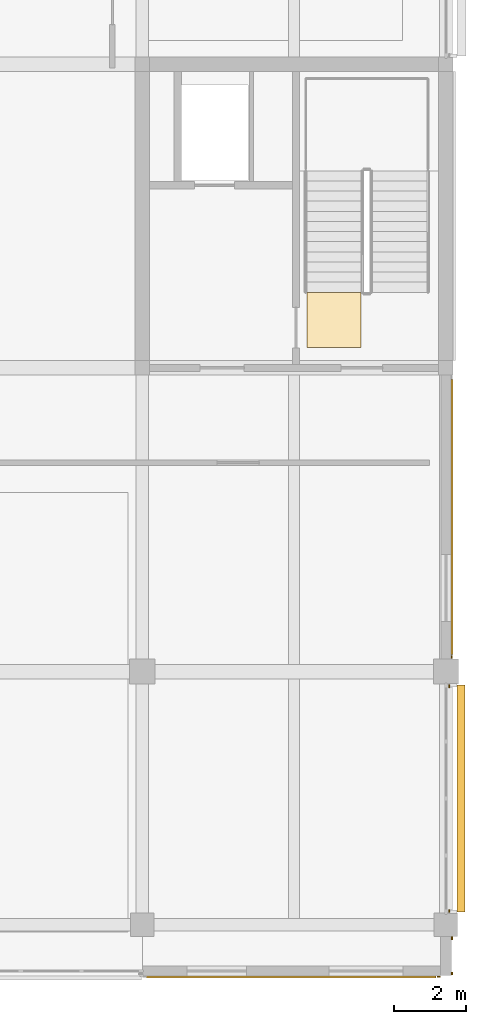
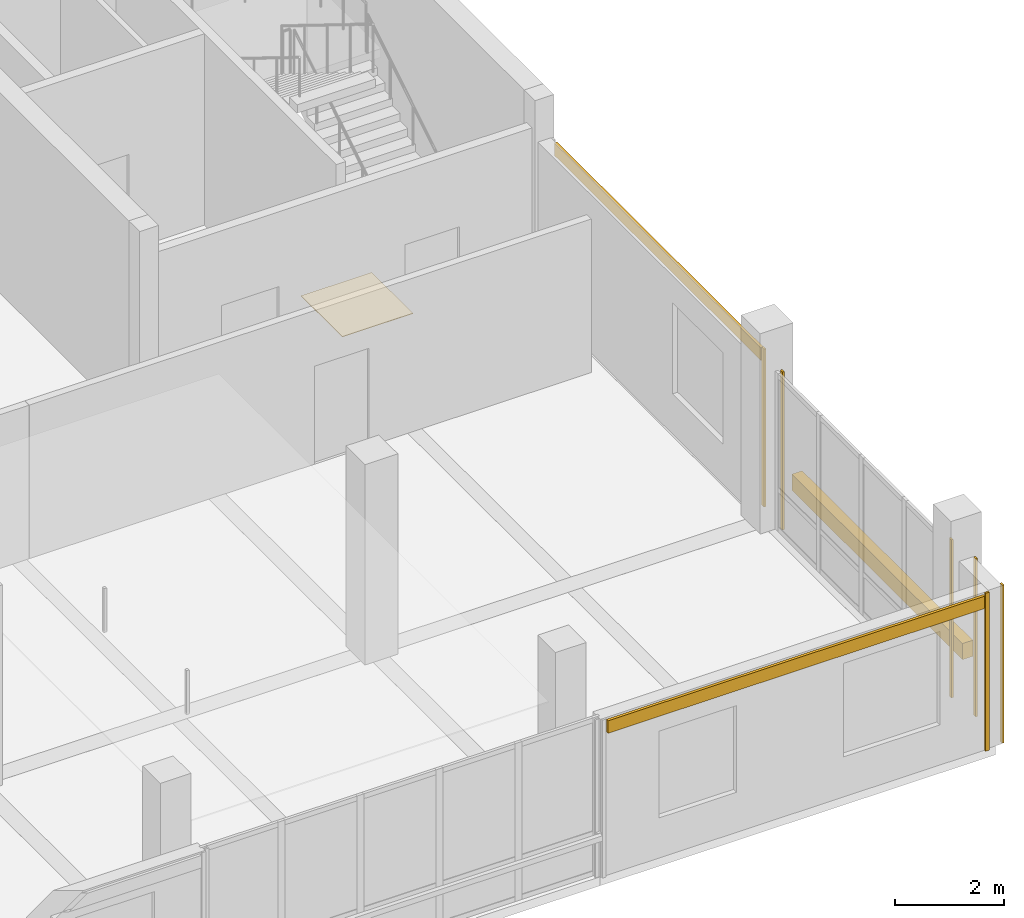
# One storey, part 23 of 28: 9 coverings, 1 shading device.
"""IFC4 building model written with IfcOpenShell, lengths in metres."""

from ifc_helpers import new_model, si_unit, direction, frame, origin, origin_2d, place, context, subcontext, project, spatial, polyline, rectangle, outline, extrude, material, layer, layer_set, type_object, element, save


model = new_model("IFC4")

# Units and contexts
model_context = context("Model", 3, precision=1e-05, world=origin(), true_north=direction((0.0, 1.0)))
body_context = subcontext(model_context, "Body", "Model", "MODEL_VIEW")
ifc_project = project(units=[si_unit("LENGTHUNIT", "METRE"), si_unit("AREAUNIT", "SQUARE_METRE"), si_unit("VOLUMEUNIT", "CUBIC_METRE"), si_unit("PLANEANGLEUNIT", "RADIAN"), si_unit("MASSUNIT", "GRAM", prefix="KILO")], contexts=[model_context])

# Site, building, storey
site_placement = place(None, origin())
site = spatial("IfcSite", under=ifc_project, at=site_placement, CompositionType="ELEMENT")
building_placement = place(site_placement, origin())
building = spatial("IfcBuilding", under=site, at=building_placement, Name="Telukmera Botanical Conservatory", CompositionType="ELEMENT")
storey_placement = place(building_placement, frame((0.0, 0.0, 51.0)))
storey = spatial("IfcBuildingStorey", under=building, at=storey_placement, Name="L11", CompositionType="ELEMENT", Elevation=51.0)

# Coverings
ifc_material_1 = material(Name="Honed granite non-slip flooring", Category="masonry")
ifc_layer_1 = layer(ifc_material_1, 0.011962890625)
ifc_layer_set_1 = layer_set([ifc_layer_1], Name="Honed granite non-slip flooring")
covering_type_1 = type_object("IfcCoveringType", Name="COV-FLR-12", PredefinedType="FLOORING", material=ifc_layer_set_1)
covering_1_placement = place(storey_placement, origin())
element("IfcCovering", 1, at=covering_1_placement, inside=storey, type_object=covering_type_1, Name="L11 ST2 Non-Slip Stair Landing Finish", PredefinedType="FLOORING", context=body_context, shape_type="SweptSolid", body=[
    extrude(outline(polyline([(98.449951171875, 26.570068359375), (98.449951171875, 28.0849609375), (96.949951171875, 28.0849609375), (96.949951171875, 26.570068359375), (98.449951171875, 26.570068359375)])), origin(), (0.0, 0.0, 1.0), 0.011962890625),
])
ifc_material_2 = material(Name="Granite-faced precast concrete C40/50", Category="masonry")
ifc_layer_2 = layer(ifc_material_2, 0.0400390625)
ifc_layer_set_2 = layer_set([ifc_layer_2], Name="Granite-faced precast concrete C40/50")
covering_type_2 = type_object("IfcCoveringType", Name="Granite Precast Column Pier Reveal Casing", PredefinedType="CLADDING", material=ifc_layer_set_2)
for number, where, z_axis, x_axis, name in (
    (2, (100.969970703125, 9.25, 0.0), (0.0, 0.0, 1.0), (0.0, 1.0, 0.0), "Granite Pier Reveal V4:L11:SEC L"),
    (3, (100.969970703125, 10.222900390625, 0.0), (0.0, 0.0, 1.0), (0.0, 1.0, 0.0), "Granite Pier Reveal V4:L11:SEC R"),
    (4, (100.597900390625, 9.159912109375, 0.0), (0.0, 0.0, 1.0), (1.0, 0.0, 0.0), "Granite Pier Reveal V4:L11:S5 R"),
    (5, (100.889892578125, 10.97705078125, 0.0), (0.0, 0.0, 1.0), (0.0, 1.0, 0.0), "Granite Pier Reveal V4:L11:E1 L"),
    (6, (100.889892578125, 17.197998046875, 0.0), (0.0, 0.0, 1.0), (0.0, 1.0, 0.0), "Granite Pier Reveal V4:L11:E1 R"),
    (7, (100.9599609375, 18.001953125, 0.0), (0.0, 0.0, 1.0), (0.0, 1.0, 0.0), "Granite Pier Reveal V4:L11:E2 L"),
):
    element("IfcCovering", number, at=place(storey_placement, frame(where, z_axis=z_axis, x_axis=x_axis)), inside=storey, type_object=covering_type_2, Name=name, PredefinedType="CLADDING", context=body_context, shape_type="SweptSolid", body=[
        extrude(rectangle(XDim=0.080078125, YDim=0.0400390625, at=origin_2d()), origin(), (0.0, 0.0, 1.0), 3.550048828125),
    ])

# Shading device
ifc_material_3 = material(Name="Perforated terracotta-anodised aluminium 6063-T6", Category="masonry")
ifc_layer_3 = layer(ifc_material_3, 0.050048828125)
ifc_layer_set_3 = layer_set([ifc_layer_3], Name="Perforated terracotta-anodised aluminium 6063-T6")
shading_device_type = type_object("IfcShadingDeviceType", Name="Operable Monsoon Solar Louvre Shutter Bank", PredefinedType="SHUTTER", material=ifc_layer_set_3)
shading_device_placement = place(storey_placement, frame((101.219970703125, 14.08740234375, 0.77001953125), z_axis=(0.0, 0.0, 1.0), x_axis=(0.0, 1.0, 0.0)))
element("IfcShadingDevice", 8, at=shading_device_placement, inside=storey, type_object=shading_device_type, Name="Monsoon Shading SH01 V4:L11:E1", PredefinedType="SHUTTER", context=body_context, shape_type="SweptSolid", body=[
    extrude(rectangle(XDim=6.281005859375, YDim=0.219970703125, at=origin_2d()), origin(), (0.0, 0.0, 1.0), 0.360107421875),
])

# Coverings
ifc_material_4 = material(Name="Terracotta-faced precast concrete C40/50", Category="masonry")
ifc_layer_4 = layer(ifc_material_4, 0.06005859375)
ifc_layer_set_4 = layer_set([ifc_layer_4], Name="Terracotta-faced precast concrete C40/50")
covering_type_3 = type_object("IfcCoveringType", Name="Polychrome Terracotta Facade Band Cladding", PredefinedType="CLADDING", material=ifc_layer_set_4)
covering_2_placement = place(storey_placement, frame((96.52490234375, 9.14990234375, 3.22998046875), z_axis=(0.0, 0.0, 1.0), x_axis=(1.0, 0.0, 0.0)))
element("IfcCovering", 9, at=covering_2_placement, inside=storey, type_object=covering_type_3, Name="Polychrome Terracotta Band V4:L11:S5", PredefinedType="CLADDING", context=body_context, shape_type="SweptSolid", body=[
    extrude(rectangle(XDim=8.006103515625, YDim=0.06005859375, at=origin_2d()), origin(), (0.0, 0.0, 1.0), 0.280029296875),
])
covering_3_placement = place(storey_placement, frame((100.969970703125, 21.875, 3.22998046875), z_axis=(0.0, 0.0, 1.0), x_axis=(0.0, 1.0, 0.0)))
element("IfcCovering", 10, at=covering_3_placement, inside=storey, type_object=covering_type_3, Name="Polychrome Terracotta Band V4:L11:E2", PredefinedType="CLADDING", context=body_context, shape_type="SweptSolid", body=[
    extrude(rectangle(XDim=7.60595703125, YDim=0.06005859375, at=origin_2d()), origin(), (0.0, 0.0, 1.0), 0.280029296875),
])

save(model, "model.ifc")
